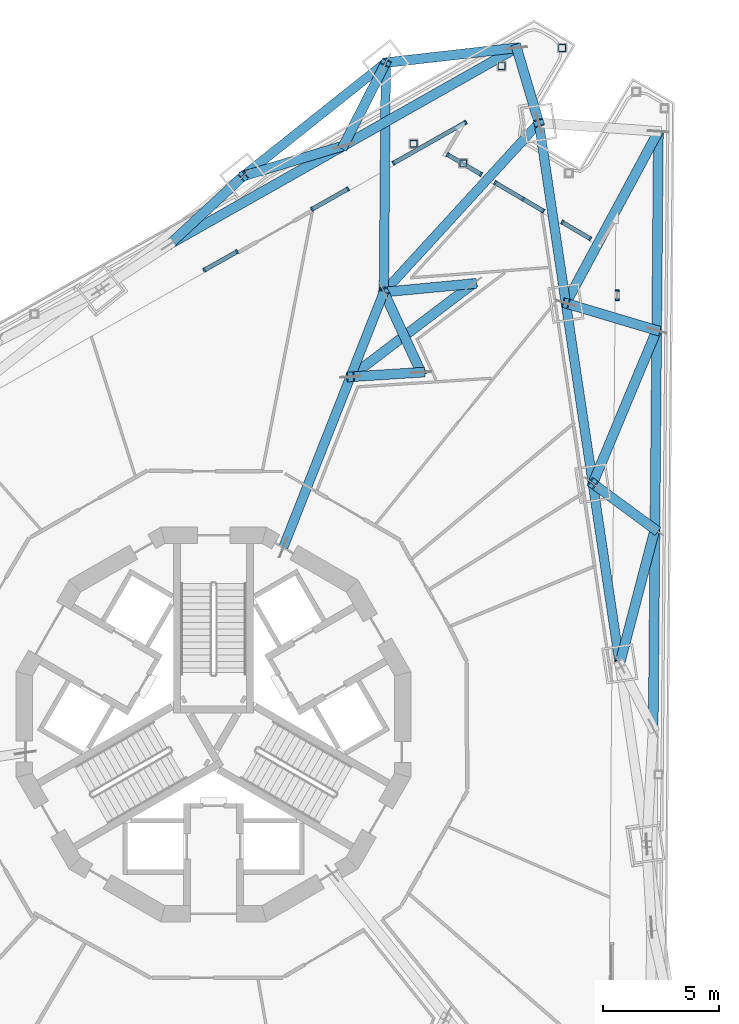
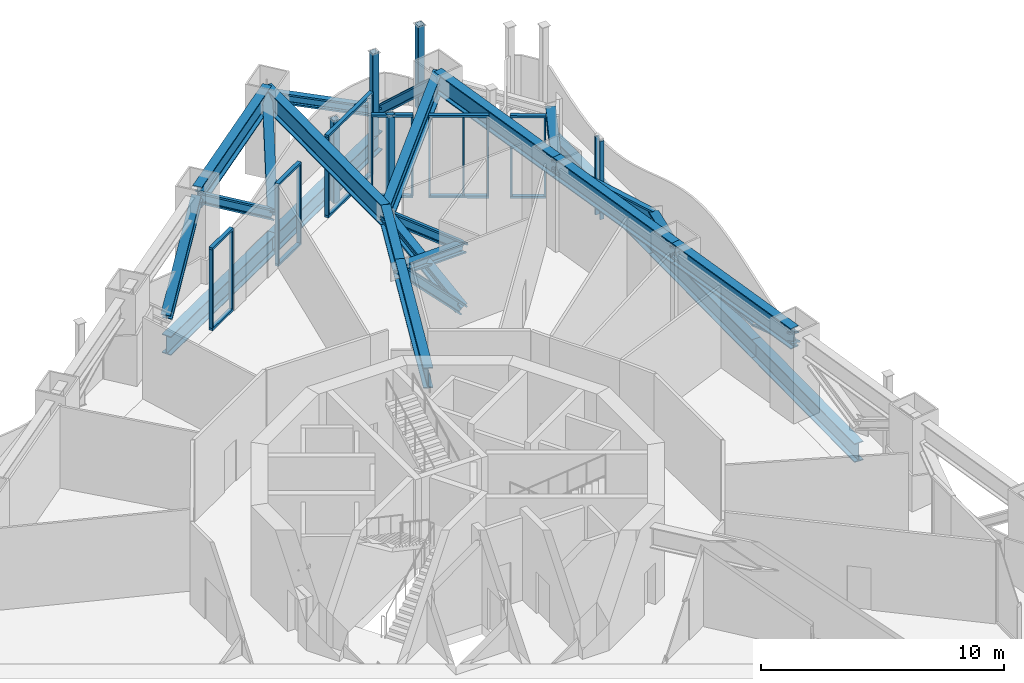
# One storey, part 6 of 27: 54 members, 4 beams, 7 elements without a shape of their own.
"""IFC4 building model written with IfcOpenShell, lengths in metres."""

from ifc_helpers import new_model, si_unit, direction, frame, origin, origin_2d, place, context, subcontext, project, spatial, rectangle, hollow_rectangle, i_section, extrude, material, layer, layer_set, material_profile, profile_set, type_object, element, aggregate, save


model = new_model("IFC4")

# Units and contexts
model_context = context("Model", 3, precision=1e-05, world=origin(), true_north=direction((0.0, 1.0)))
body_context = subcontext(model_context, "Body", "Model", "MODEL_VIEW")
ifc_project = project(units=[si_unit("LENGTHUNIT", "METRE"), si_unit("AREAUNIT", "SQUARE_METRE"), si_unit("VOLUMEUNIT", "CUBIC_METRE"), si_unit("PLANEANGLEUNIT", "RADIAN"), si_unit("MASSUNIT", "GRAM", prefix="KILO")], contexts=[model_context])

# Site, building, storey
site_placement = place(None, origin())
site = spatial("IfcSite", under=ifc_project, at=site_placement, CompositionType="ELEMENT")
building_placement = place(site_placement, origin())
building = spatial("IfcBuilding", under=site, at=building_placement, Name="Trine Commons Tower", CompositionType="ELEMENT")
storey_placement = place(building_placement, frame((0.0, 0.0, 193.5)))
storey = spatial("IfcBuildingStorey", under=building, at=storey_placement, Name="L50", CompositionType="ELEMENT", Elevation=193.5)

# Curtain wall, members
ifc_material_1 = material(Name="Sky lounge glazing: anodised aluminium frame with low-emissivity double glazed unit, solar control", Category="aluminium")
ifc_layer = layer(ifc_material_1, 0.179931640625)
ifc_layer_set = layer_set([ifc_layer], Name="Sky lounge glazing: anodised aluminium frame with low-emissivity double glazed unit, solar control")
curtain_wall_type = type_object("IfcCurtainWallType", Name="Sky lounge glazing curtain wall CW5", PredefinedType="NOTDEFINED", material=ifc_layer_set)
curtain_wall_1_placement = place(storey_placement, origin())
curtain_wall_1 = element("IfcCurtainWall", 1, at=curtain_wall_1_placement, inside=storey, type_object=curtain_wall_type, Name="Sky lounge glazing L50 F1.2", PredefinedType="NOTDEFINED")
ifc_material_2 = material(Name="Anodised aluminium, bronze finish", Category="aluminium")
ifc_material_profile_1 = material_profile(ifc_material_2, rectangle(XDim=0.179931640625, YDim=0.074951171875, at=origin_2d()), Name="Mullion 75x180")
ifc_profile_set_1 = profile_set([ifc_material_profile_1], Name="Anodised aluminium, bronze finish")
member_type_1 = type_object("IfcMemberType", Name="Mullion 75x180, Anodised aluminium, bronze finish", PredefinedType="MULLION", material=ifc_profile_set_1)
member_1_placement = place(storey_placement, frame((79.602294921875, 82.068603515625, 0.110107421875), z_axis=(0.0, 0.0, 1.0), x_axis=(-0.492423560103, 0.87035569594, 0.0)))
member_1 = element("IfcMember", 2, at=member_1_placement, type_object=member_type_1, Name="CW5 mullion 1.1", PredefinedType="MULLION", context=body_context, shape_type="SweptSolid", body=[
    extrude(rectangle(XDim=0.179931640625, YDim=0.074951171875, at=origin_2d()), origin(), (0.0, 0.0, 1.0), 3.929931640625),
])
member_2_placement = place(storey_placement, frame((81.00732421875, 82.863525390625, 0.110107421875), z_axis=(0.0, 0.0, 1.0), x_axis=(-0.492423560103, 0.87035569594, 0.0)))
member_2 = element("IfcMember", 3, at=member_2_placement, type_object=member_type_1, Name="CW5 mullion 2.1", PredefinedType="MULLION", context=body_context, shape_type="SweptSolid", body=[
    extrude(rectangle(XDim=0.179931640625, YDim=0.074951171875, at=origin_2d()), origin(), (0.0, 0.0, 1.0), 3.929931640625),
])

curtain_wall_2_placement = place(storey_placement, origin())
curtain_wall_2 = element("IfcCurtainWall", 4, at=curtain_wall_2_placement, inside=storey, type_object=curtain_wall_type, Name="Sky lounge glazing L50 F1.3", PredefinedType="NOTDEFINED")
member_3_placement = place(storey_placement, frame((84.246826171875, 84.696533203125, 0.110107421875), z_axis=(0.0, 0.0, 1.0), x_axis=(-0.492423560103, 0.87035569594, 0.0)))
member_3 = element("IfcMember", 5, at=member_3_placement, type_object=member_type_1, Name="CW5 mullion 1.1", PredefinedType="MULLION", context=body_context, shape_type="SweptSolid", body=[
    extrude(rectangle(XDim=0.179931640625, YDim=0.074951171875, at=origin_2d()), origin(), (0.0, 0.0, 1.0), 3.929931640625),
])
member_4_placement = place(storey_placement, frame((85.781982421875, 85.56494140625, 0.110107421875), z_axis=(0.0, 0.0, 1.0), x_axis=(-0.492423560103, 0.87035569594, 0.0)))
member_4 = element("IfcMember", 6, at=member_4_placement, type_object=member_type_1, Name="CW5 mullion 2.1", PredefinedType="MULLION", context=body_context, shape_type="SweptSolid", body=[
    extrude(rectangle(XDim=0.179931640625, YDim=0.074951171875, at=origin_2d()), origin(), (0.0, 0.0, 1.0), 3.929931640625),
])

curtain_wall_3_placement = place(storey_placement, origin())
curtain_wall_3 = element("IfcCurtainWall", 7, at=curtain_wall_3_placement, inside=storey, type_object=curtain_wall_type, Name="Sky lounge glazing L50 F1.4", PredefinedType="NOTDEFINED")
member_5_placement = place(storey_placement, frame((87.755859375, 86.681640625, 0.110107421875), z_axis=(0.0, 0.0, 1.0), x_axis=(-0.492423560103, 0.87035569594, 0.0)))
member_5 = element("IfcMember", 8, at=member_5_placement, type_object=member_type_1, Name="CW5 mullion 1.1", PredefinedType="MULLION", context=body_context, shape_type="SweptSolid", body=[
    extrude(rectangle(XDim=0.179931640625, YDim=0.074951171875, at=origin_2d()), origin(), (0.0, 0.0, 1.0), 3.929931640625),
])
member_6_placement = place(storey_placement, frame((90.85498046875, 88.435302734375, 0.110107421875), z_axis=(0.0, 0.0, 1.0), x_axis=(-0.492423560103, 0.87035569594, 0.0)))
member_6 = element("IfcMember", 9, at=member_6_placement, type_object=member_type_1, Name="CW5 mullion 2.1", PredefinedType="MULLION", context=body_context, shape_type="SweptSolid", body=[
    extrude(rectangle(XDim=0.179931640625, YDim=0.074951171875, at=origin_2d()), origin(), (0.0, 0.0, 1.0), 3.929931640625),
])

curtain_wall_4_placement = place(storey_placement, origin())
curtain_wall_4 = element("IfcCurtainWall", 10, at=curtain_wall_4_placement, inside=storey, type_object=curtain_wall_type, Name="Sky lounge glazing L50 P2.1", PredefinedType="NOTDEFINED")
member_7_placement = place(storey_placement, frame((90.088623046875, 87.040283203125, 0.110107421875), z_axis=(0.0, 0.0, 1.0), x_axis=(0.507538362961, 0.861629160442, 0.0)))
member_7 = element("IfcMember", 11, at=member_7_placement, type_object=member_type_1, Name="CW5 mullion 1.1", PredefinedType="MULLION", context=body_context, shape_type="SweptSolid", body=[
    extrude(rectangle(XDim=0.179931640625, YDim=0.074951171875, at=origin_2d()), origin(), (0.0, 0.0, 1.0), 3.929931640625),
])
member_8_placement = place(storey_placement, frame((91.517578125, 86.198486328125, 0.110107421875), z_axis=(0.0, 0.0, 1.0), x_axis=(0.507538362961, 0.861629160442, 0.0)))
member_8 = element("IfcMember", 12, at=member_8_placement, type_object=member_type_1, Name="CW5 mullion 2.1", PredefinedType="MULLION", context=body_context, shape_type="SweptSolid", body=[
    extrude(rectangle(XDim=0.179931640625, YDim=0.074951171875, at=origin_2d()), origin(), (0.0, 0.0, 1.0), 3.929931640625),
])

curtain_wall_5_placement = place(storey_placement, origin())
curtain_wall_5 = element("IfcCurtainWall", 13, at=curtain_wall_5_placement, inside=storey, type_object=curtain_wall_type, Name="Sky lounge glazing L50 P2.2", PredefinedType="NOTDEFINED")
member_9_placement = place(storey_placement, frame((92.13330078125, 85.8359375, 0.110107421875), z_axis=(0.0, 0.0, 1.0), x_axis=(0.507538362961, 0.861629160442, 0.0)))
member_9 = element("IfcMember", 14, at=member_9_placement, type_object=member_type_1, Name="CW5 mullion 1.1", PredefinedType="MULLION", context=body_context, shape_type="SweptSolid", body=[
    extrude(rectangle(XDim=0.179931640625, YDim=0.074951171875, at=origin_2d()), origin(), (0.0, 0.0, 1.0), 3.929931640625),
])
member_10_placement = place(storey_placement, frame((93.33056640625, 85.130615234375, 0.110107421875), z_axis=(0.0, 0.0, 1.0), x_axis=(0.507538362961, 0.861629160442, 0.0)))
member_10 = element("IfcMember", 15, at=member_10_placement, type_object=member_type_1, Name="CW5 mullion 2.1", PredefinedType="MULLION", context=body_context, shape_type="SweptSolid", body=[
    extrude(rectangle(XDim=0.179931640625, YDim=0.074951171875, at=origin_2d()), origin(), (0.0, 0.0, 1.0), 3.929931640625),
])
member_11_placement = place(storey_placement, frame((94.19873046875, 84.619384765625, 0.110107421875), z_axis=(0.0, 0.0, 1.0), x_axis=(0.507538362961, 0.861629160442, 0.0)))
member_11 = element("IfcMember", 16, at=member_11_placement, type_object=member_type_1, Name="CW5 mullion 3.1", PredefinedType="MULLION", context=body_context, shape_type="SweptSolid", body=[
    extrude(rectangle(XDim=0.179931640625, YDim=0.074951171875, at=origin_2d()), origin(), (0.0, 0.0, 1.0), 3.929931640625),
])

curtain_wall_6_placement = place(storey_placement, origin())
curtain_wall_6 = element("IfcCurtainWall", 17, at=curtain_wall_6_placement, inside=storey, type_object=curtain_wall_type, Name="Sky lounge glazing L50 P2.3", PredefinedType="NOTDEFINED")
member_12_placement = place(storey_placement, frame((95.0234375, 84.133544921875, 0.110107421875), z_axis=(0.0, 0.0, 1.0), x_axis=(0.507538362961, 0.861629160442, 0.0)))
member_12 = element("IfcMember", 18, at=member_12_placement, type_object=member_type_1, Name="CW5 mullion 1.1", PredefinedType="MULLION", context=body_context, shape_type="SweptSolid", body=[
    extrude(rectangle(XDim=0.179931640625, YDim=0.074951171875, at=origin_2d()), origin(), (0.0, 0.0, 1.0), 3.929931640625),
])
member_13_placement = place(storey_placement, frame((96.22021484375, 83.428466796875, 0.110107421875), z_axis=(0.0, 0.0, 1.0), x_axis=(0.507538362961, 0.861629160442, 0.0)))
member_13 = element("IfcMember", 19, at=member_13_placement, type_object=member_type_1, Name="CW5 mullion 2.1", PredefinedType="MULLION", context=body_context, shape_type="SweptSolid", body=[
    extrude(rectangle(XDim=0.179931640625, YDim=0.074951171875, at=origin_2d()), origin(), (0.0, 0.0, 1.0), 3.929931640625),
])

curtain_wall_7_placement = place(storey_placement, origin())
curtain_wall_7 = element("IfcCurtainWall", 20, at=curtain_wall_7_placement, inside=storey, type_object=curtain_wall_type, Name="Sky lounge glazing L50 F2.1", PredefinedType="NOTDEFINED")
member_14_placement = place(storey_placement, frame((97.391357421875, 81.1875, 0.110107421875), z_axis=(0.0, 0.0, 1.0), x_axis=(0.999961923064, -0.008726535498, 0.0)))
member_14 = element("IfcMember", 21, at=member_14_placement, type_object=member_type_1, Name="CW5 mullion 1.1", PredefinedType="MULLION", context=body_context, shape_type="SweptSolid", body=[
    extrude(rectangle(XDim=0.179931640625, YDim=0.074951171875, at=origin_2d()), origin(), (0.0, 0.0, 1.0), 3.929931640625),
])
member_15_placement = place(storey_placement, frame((97.3876953125, 80.793212890625, 0.110107421875), z_axis=(0.0, 0.0, 1.0), x_axis=(0.999961923064, -0.008726535498, 0.0)))
member_15 = element("IfcMember", 22, at=member_15_placement, type_object=member_type_1, Name="CW5 mullion 2.1", PredefinedType="MULLION", context=body_context, shape_type="SweptSolid", body=[
    extrude(rectangle(XDim=0.179931640625, YDim=0.074951171875, at=origin_2d()), origin(), (0.0, 0.0, 1.0), 3.929931640625),
])
aggregate(curtain_wall_7, [member_14, member_15])

# Beams
ifc_material_3 = material(Name="Structural steel ASTM A992 Gr50", Category="steel")
ifc_material_profile_2 = material_profile(ifc_material_3, i_section(OverallWidth=0.406494140625, OverallDepth=1.02880859375, WebThickness=0.0283203125, FlangeThickness=0.051025390625, FilletRadius=0.02978515625, at=origin_2d()), Name="W40X362")
ifc_profile_set_2 = profile_set([ifc_material_profile_2], Name="Structural steel ASTM A992 Gr50")
beam_type = type_object("IfcBeamType", Name="Steel beam W40X362, ASTM A992 Gr50", PredefinedType="BEAM", material=ifc_profile_set_2)
for number, where, z_axis, x_axis, name in (
    (23, (87.419189453125, 91.006103515625, 3.635498046875), (-0.008351161628, -0.999965128442, 0.0), (0.999965128442, -0.008351161628, 0.0), "Transfer truss girder T5-UV-03"),
    (24, (94.014892578125, 88.407958984375, 3.635498046875), (-0.675856641144, -0.73703310687, 0.0), (0.73703310687, -0.675856641144, 0.0), "Transfer truss girder T5-UV-04"),
):
    element("IfcBeam", number, at=place(storey_placement, frame(where, z_axis=z_axis, x_axis=x_axis)), inside=storey, type_object=beam_type, Name=name, PredefinedType="BEAM", context=body_context, shape_type="SweptSolid", body=[
        extrude(i_section(OverallWidth=0.406494140625, OverallDepth=1.02880859375, WebThickness=0.0283203125, FlangeThickness=0.051025390625, FilletRadius=0.02978515625, at=origin_2d()), origin(), (0.0, 0.0, 1.0), 9.881103515625),
    ])
beam_1_placement = place(storey_placement, frame((83.00341796875, 70.12451171875, 3.635498046875), z_axis=(0.366493709581, 0.930420529029, 0.0), x_axis=(-0.930420529029, 0.366493709581, 0.0)))
element("IfcBeam", 25, at=beam_1_placement, inside=storey, type_object=beam_type, Name="Transfer truss girder T5-UR-03", PredefinedType="BEAM", context=body_context, shape_type="SweptSolid", body=[
    extrude(i_section(OverallWidth=0.406494140625, OverallDepth=1.02880859375, WebThickness=0.0283203125, FlangeThickness=0.051025390625, FilletRadius=0.02978515625, at=origin_2d()), origin(), (0.0, 0.0, 1.0), 7.899169921875),
])
beam_2_placement = place(storey_placement, frame((85.8984375, 77.47412109375, 3.635498046875), z_axis=(0.366504934123, 0.93041610759, 0.0), x_axis=(-0.93041610759, 0.366504934123, 0.0)))
element("IfcBeam", 26, at=beam_2_placement, inside=storey, type_object=beam_type, Name="Transfer truss girder T5-UR-04", PredefinedType="BEAM", context=body_context, shape_type="SweptSolid", body=[
    extrude(i_section(OverallWidth=0.406494140625, OverallDepth=1.02880859375, WebThickness=0.0283203125, FlangeThickness=0.051025390625, FilletRadius=0.02978515625, at=origin_2d()), origin(), (0.0, 0.0, 1.0), 3.924072265625),
])

# Members
ifc_material_profile_3 = material_profile(ifc_material_3, i_section(OverallWidth=0.42236328125, OverallDepth=0.46337890625, WebThickness=0.044921875, FlangeThickness=0.072509765625, FilletRadius=0.014892578125, at=origin_2d()), Name="W14X398")
ifc_profile_set_3 = profile_set([ifc_material_profile_3], Name="Structural steel ASTM A992 Gr50")
member_type_2 = type_object("IfcMemberType", Name="Steel brace W14X398, ASTM A992 Gr50", PredefinedType="BRACE", material=ifc_profile_set_3)
member_16_placement = place(storey_placement, frame((78.13427734375, 83.202880859375, 0.474609375), z_axis=(0.589824975925, 0.547557089417, 0.593538315195), x_axis=(-0.680359329889, 0.732878695442, 0.0)))
element("IfcMember", 27, at=member_16_placement, inside=storey, type_object=member_type_2, Name="Transfer truss brace T5-DG-25", PredefinedType="BRACE", context=body_context, shape_type="SweptSolid", body=[
    extrude(i_section(OverallWidth=0.42236328125, OverallDepth=0.46337890625, WebThickness=0.044921875, FlangeThickness=0.072509765625, FilletRadius=0.014892578125, at=origin_2d()), origin(), (0.0, 0.0, 1.0), 5.325439453125),
])
member_17_placement = place(storey_placement, frame((85.59375, 87.423095703125, 0.474609375), z_axis=(-0.78398593289, -0.236773680094, 0.573850399883), x_axis=(0.289115021818, -0.957294366514, 0.0)))
element("IfcMember", 28, at=member_17_placement, inside=storey, type_object=member_type_2, Name="Transfer truss brace T5-DG-26", PredefinedType="BRACE", context=body_context, shape_type="SweptSolid", body=[
    extrude(i_section(OverallWidth=0.42236328125, OverallDepth=0.46337890625, WebThickness=0.044921875, FlangeThickness=0.072509765625, FilletRadius=0.014892578125, at=origin_2d()), origin(), (0.0, 0.0, 1.0), 5.50830078125),
])
member_18_placement = place(storey_placement, frame((85.59375, 87.423095703125, 0.474609375), z_axis=(0.356892164908, 0.700514833782, 0.617986205572), x_axis=(-0.891026059954, 0.453952156601, 0.0)))
element("IfcMember", 29, at=member_18_placement, inside=storey, type_object=member_type_2, Name="Transfer truss brace T5-DG-27", PredefinedType="BRACE", context=body_context, shape_type="SweptSolid", body=[
    extrude(i_section(OverallWidth=0.42236328125, OverallDepth=0.46337890625, WebThickness=0.044921875, FlangeThickness=0.072509765625, FilletRadius=0.014892578125, at=origin_2d()), origin(), (0.0, 0.0, 1.0), 5.11474609375),
])
member_19_placement = place(storey_placement, frame((93.052978515625, 91.6435546875, 0.474609375), z_axis=(-0.867896731313, -0.098200657196, 0.486941366801), x_axis=(0.112430456098, -0.993659595909, 0.0)))
element("IfcMember", 30, at=member_19_placement, inside=storey, type_object=member_type_2, Name="Transfer truss brace T5-DG-28", PredefinedType="BRACE", context=body_context, shape_type="SweptSolid", body=[
    extrude(i_section(OverallWidth=0.42236328125, OverallDepth=0.46337890625, WebThickness=0.044921875, FlangeThickness=0.072509765625, FilletRadius=0.014892578125, at=origin_2d()), origin(), (0.0, 0.0, 1.0), 6.4912109375),
])
member_20_placement = place(storey_placement, frame((93.052978515625, 91.6435546875, 0.474609375), z_axis=(0.208005971874, -0.699670849046, 0.68351607052), x_axis=(0.958537958117, 0.284964880026, 0.0)))
element("IfcMember", 31, at=member_20_placement, inside=storey, type_object=member_type_2, Name="Transfer truss brace T5-DG-29", PredefinedType="BRACE", context=body_context, shape_type="SweptSolid", body=[
    extrude(i_section(OverallWidth=0.42236328125, OverallDepth=0.46337890625, WebThickness=0.044921875, FlangeThickness=0.072509765625, FilletRadius=0.014892578125, at=origin_2d()), origin(), (0.0, 0.0, 1.0), 4.62451171875),
])
member_21_placement = place(storey_placement, frame((99.08642578125, 79.475341796875, 0.474609375), z_axis=(-0.757583211087, 0.22628187672, 0.6122615377), x_axis=(-0.286195356722, -0.958171288336, 0.0)))
element("IfcMember", 32, at=member_21_placement, inside=storey, type_object=member_type_2, Name="Transfer truss brace T5-DG-31", PredefinedType="BRACE", context=body_context, shape_type="SweptSolid", body=[
    extrude(i_section(OverallWidth=0.42236328125, OverallDepth=0.46337890625, WebThickness=0.044921875, FlangeThickness=0.072509765625, FilletRadius=0.014892578125, at=origin_2d()), origin(), (0.0, 0.0, 1.0), 5.16259765625),
])
member_22_placement = place(storey_placement, frame((99.1611328125, 88.045654296875, 0.474609375), z_axis=(-0.443778163496, -0.824140030567, 0.351929185519), x_axis=(0.88046643748, -0.474108481754, 0.0)))
element("IfcMember", 33, at=member_22_placement, inside=storey, type_object=member_type_2, Name="Transfer truss brace T5-DG-32", PredefinedType="BRACE", context=body_context, shape_type="SweptSolid", body=[
    extrude(i_section(OverallWidth=0.42236328125, OverallDepth=0.46337890625, WebThickness=0.044921875, FlangeThickness=0.072509765625, FilletRadius=0.014892578125, at=origin_2d()), origin(), (0.0, 0.0, 1.0), 8.981689453125),
])
member_23_placement = place(storey_placement, frame((99.01171875, 70.905029296875, 0.474609375), z_axis=(-0.583269827729, 0.430281892804, 0.688951232516), x_axis=(-0.593649727971, -0.804723555316, 0.0)))
element("IfcMember", 34, at=member_23_placement, inside=storey, type_object=member_type_2, Name="Transfer truss brace T5-DG-33", PredefinedType="BRACE", context=body_context, shape_type="SweptSolid", body=[
    extrude(i_section(OverallWidth=0.42236328125, OverallDepth=0.46337890625, WebThickness=0.044921875, FlangeThickness=0.072509765625, FilletRadius=0.014892578125, at=origin_2d()), origin(), (0.0, 0.0, 1.0), 4.587890625),
])
member_24_placement = place(storey_placement, frame((99.08642578125, 79.475341796875, 0.474609375), z_axis=(-0.35200053342, -0.844088968842, 0.404486634081), x_axis=(0.922961664114, -0.384891889465, 0.0)))
element("IfcMember", 35, at=member_24_placement, inside=storey, type_object=member_type_2, Name="Transfer truss brace T5-DG-34", PredefinedType="BRACE", context=body_context, shape_type="SweptSolid", body=[
    extrude(i_section(OverallWidth=0.42236328125, OverallDepth=0.46337890625, WebThickness=0.044921875, FlangeThickness=0.072509765625, FilletRadius=0.014892578125, at=origin_2d()), origin(), (0.0, 0.0, 1.0), 7.814453125),
])
member_25_placement = place(storey_placement, frame((99.01171875, 70.905029296875, 0.474609375), z_axis=(-0.22391568773, -0.855445935226, 0.466983957641), x_axis=(0.967408156145, -0.253222154292, 0.0)))
element("IfcMember", 36, at=member_25_placement, inside=storey, type_object=member_type_2, Name="Transfer truss brace T5-DG-36", PredefinedType="BRACE", context=body_context, shape_type="SweptSolid", body=[
    extrude(i_section(OverallWidth=0.42236328125, OverallDepth=0.46337890625, WebThickness=0.044921875, FlangeThickness=0.072509765625, FilletRadius=0.014892578125, at=origin_2d()), origin(), (0.0, 0.0, 1.0), 6.768798828125),
])
member_26_placement = place(storey_placement, frame((88.935546875, 77.66943359375, 0.474609375), z_axis=(-0.692160391642, -0.044511922292, 0.720369822394), x_axis=(0.064176115011, -0.997938588422, 0.0)))
element("IfcMember", 37, at=member_26_placement, inside=storey, type_object=member_type_2, Name="Transfer truss brace T5-DG-47", PredefinedType="BRACE", context=body_context, shape_type="SweptSolid", body=[
    extrude(i_section(OverallWidth=0.42236328125, OverallDepth=0.46337890625, WebThickness=0.044921875, FlangeThickness=0.072509765625, FilletRadius=0.014892578125, at=origin_2d()), origin(), (0.0, 0.0, 1.0), 4.387939453125),
])
member_27_placement = place(storey_placement, frame((91.185302734375, 81.488525390625, 0.474609375), z_axis=(-0.719067810292, -0.546000092571, 0.429913227423), x_axis=(0.604738185248, -0.796424338718, 0.0)))
element("IfcMember", 38, at=member_27_placement, inside=storey, type_object=member_type_2, Name="Transfer truss brace T5-DG-48", PredefinedType="BRACE", context=body_context, shape_type="SweptSolid", body=[
    extrude(i_section(OverallWidth=0.42236328125, OverallDepth=0.46337890625, WebThickness=0.044921875, FlangeThickness=0.072509765625, FilletRadius=0.014892578125, at=origin_2d()), origin(), (0.0, 0.0, 1.0), 7.352294921875),
])
member_28_placement = place(storey_placement, frame((88.935546875, 77.66943359375, 0.474609375), z_axis=(-0.323086210286, 0.698318110643, 0.638723036277), x_axis=(-0.907570541615, -0.419899645145, 0.0)))
element("IfcMember", 39, at=member_28_placement, inside=storey, type_object=member_type_2, Name="Transfer truss brace T5-DG-49", PredefinedType="BRACE", context=body_context, shape_type="SweptSolid", body=[
    extrude(i_section(OverallWidth=0.42236328125, OverallDepth=0.46337890625, WebThickness=0.044921875, FlangeThickness=0.072509765625, FilletRadius=0.014892578125, at=origin_2d()), origin(), (0.0, 0.0, 1.0), 4.94873046875),
])
member_29_placement = place(storey_placement, frame((91.185302734375, 81.488525390625, 0.474609375), z_axis=(-0.770726612687, -0.072750647023, 0.632999077293), x_axis=(0.093974562477, -0.995574598715, 0.0)))
element("IfcMember", 40, at=member_29_placement, inside=storey, type_object=member_type_2, Name="Transfer truss brace T5-DG-50", PredefinedType="BRACE", context=body_context, shape_type="SweptSolid", body=[
    extrude(i_section(OverallWidth=0.42236328125, OverallDepth=0.46337890625, WebThickness=0.044921875, FlangeThickness=0.072509765625, FilletRadius=0.014892578125, at=origin_2d()), origin(), (0.0, 0.0, 1.0), 4.993408203125),
])
ifc_material_profile_4 = material_profile(ifc_material_3, i_section(OverallWidth=0.42236328125, OverallDepth=0.94921875, WebThickness=0.02392578125, FlangeThickness=0.042724609375, FilletRadius=0.024169921875, at=origin_2d()), Name="W36X302")
ifc_profile_set_4 = profile_set([ifc_material_profile_4], Name="Structural steel ASTM A992 Gr50")
member_type_3 = type_object("IfcMemberType", Name="Steel chord W36X302, ASTM A992 Gr50", PredefinedType="CHORD", material=ifc_profile_set_4)
for number, where, z_axis, x_axis, name in (
    (41, (78.13427734375, 83.202880859375, -0.924560546875), (0.87036328309, 0.49241014962, 0.0), (-0.49241014962, 0.87036328309, 0.0), "Transfer truss chord T5-LC-11"),
    (42, (85.59375, 87.423095703125, -0.924560546875), (0.870344166839, 0.492443937163, 0.0), (-0.492443937163, 0.870344166839, 0.0), "Transfer truss chord T5-LC-12"),
    (43, (99.1611328125, 88.045654296875, -0.924560546875), (-0.008716624171, -0.99996200951, 0.0), (0.99996200951, -0.008716624171, 0.0), "Transfer truss chord T5-LC-13"),
    (44, (99.08642578125, 79.475341796875, -0.924560546875), (-0.008716624171, -0.99996200951, 0.0), (0.99996200951, -0.008716624171, 0.0), "Transfer truss chord T5-LC-14"),
    (45, (99.01171875, 70.905029296875, -0.924560546875), (-0.008745107696, -0.999961760815, 0.0), (0.999961760815, -0.008745107696, 0.0), "Transfer truss chord T5-LC-15"),
):
    element("IfcMember", number, at=place(storey_placement, frame(where, z_axis=z_axis, x_axis=x_axis)), inside=storey, type_object=member_type_3, Name=name, PredefinedType="CHORD", context=body_context, shape_type="SweptSolid", body=[
        extrude(i_section(OverallWidth=0.42236328125, OverallDepth=0.94921875, WebThickness=0.02392578125, FlangeThickness=0.042724609375, FilletRadius=0.024169921875, at=origin_2d()), origin(), (0.0, 0.0, 1.0), 8.570556640625),
    ])
ifc_material_profile_5 = material_profile(ifc_material_3, i_section(OverallWidth=0.406494140625, OverallDepth=1.02880859375, WebThickness=0.0283203125, FlangeThickness=0.051025390625, FilletRadius=0.02978515625, at=origin_2d()), Name="W40X362")
ifc_profile_set_5 = profile_set([ifc_material_profile_5], Name="Structural steel ASTM A992 Gr50")
member_type_4 = type_object("IfcMemberType", Name="Steel chord W40X362, ASTM A992 Gr50", PredefinedType="CHORD", material=ifc_profile_set_5)
for number, where, z_axis, x_axis, name in (
    (46, (81.275390625, 86.118896484375, 3.635498046875), (0.782595200411, 0.622530924769, 0.0), (-0.622530924769, 0.782595200411, 0.0), "Transfer truss chord T5-UC-12"),
    (47, (94.014892578125, 88.407958984375, 3.635498046875), (0.147809709358, -0.989015818791, 0.0), (0.989015818791, 0.147809709358, 0.0), "Transfer truss chord T5-UC-13"),
    (48, (95.17529296875, 80.6435546875, 3.635498046875), (0.147809709358, -0.989015818791, 0.0), (0.989015818791, 0.147809709358, 0.0), "Transfer truss chord T5-UC-14"),
    (49, (96.335693359375, 72.879150390625, 3.635498046875), (0.147809709358, -0.989015818791, 0.0), (0.989015818791, 0.147809709358, 0.0), "Transfer truss chord T5-UC-15"),
):
    element("IfcMember", number, at=place(storey_placement, frame(where, z_axis=z_axis, x_axis=x_axis)), inside=storey, type_object=member_type_4, Name=name, PredefinedType="CHORD", context=body_context, shape_type="SweptSolid", body=[
        extrude(i_section(OverallWidth=0.406494140625, OverallDepth=1.02880859375, WebThickness=0.0283203125, FlangeThickness=0.051025390625, FilletRadius=0.02978515625, at=origin_2d()), origin(), (0.0, 0.0, 1.0), 7.8505859375),
    ])
ifc_material_4 = material(Name="Structural steel ASTM A500 Gr C", Category="steel")
ifc_material_profile_6 = material_profile(ifc_material_4, hollow_rectangle(XDim=0.3046875, YDim=0.3046875, WallThickness=0.014892578125, InnerFilletRadius=0.00732421875, OuterFilletRadius=0.022216796875, at=origin_2d()), Name="HSS12X12X5/8")
ifc_profile_set_6 = profile_set([ifc_material_profile_6], Name="Structural steel ASTM A500 Gr C")
member_type_5 = type_object("IfcMemberType", Name="Steel post HSS12X12X5/8, ASTM A500 Gr C", PredefinedType="POST", material=ifc_profile_set_6)
for number, where, z_axis, x_axis, name in (
    (50, (95.01513671875, 91.6357421875, 0.0), (0.0, 0.0, 1.0), (1.0, 0.0, 0.0), "Roof post SP5-41"),
    (51, (88.616943359375, 87.51318359375, 0.0), (0.0, 0.0, 1.0), (1.0, 0.0, 0.0), "Roof post SP5-42"),
    (52, (90.7568359375, 86.67041015625, 0.0), (0.0, 0.0, 1.0), (1.0, 0.0, 0.0), "Roof post SP5-43"),
    (53, (92.40625, 90.857177734375, 0.0), (0.0, 0.0, 1.0), (1.0, 0.0, 0.0), "Roof post SP5-44"),
):
    element("IfcMember", number, at=place(storey_placement, frame(where, z_axis=z_axis, x_axis=x_axis)), inside=storey, type_object=member_type_5, Name=name, PredefinedType="POST", context=body_context, shape_type="SweptSolid", body=[
        extrude(hollow_rectangle(XDim=0.3046875, YDim=0.3046875, WallThickness=0.014892578125, InnerFilletRadius=0.00732421875, OuterFilletRadius=0.022216796875, at=origin_2d()), origin(), (0.0, 0.0, 1.0), 4.14990234375),
    ])

# Member
ifc_material_profile_7 = material_profile(ifc_material_2, rectangle(XDim=0.179931640625, YDim=0.110107421875, at=origin_2d()), Name="Transom 110x180")
ifc_profile_set_7 = profile_set([ifc_material_profile_7], Name="Anodised aluminium, bronze finish")
member_type_6 = type_object("IfcMemberType", Name="Transom 110x180, Anodised aluminium, bronze finish", PredefinedType="USERDEFINED", material=ifc_profile_set_7)
member_30_placement = place(storey_placement, frame((79.569580078125, 82.05029296875, 0.054931640625), z_axis=(0.870360878701, 0.492414399491, 0.0), x_axis=(-0.492414399491, 0.870360878701, 0.0)))
member_30 = element("IfcMember", 54, at=member_30_placement, type_object=member_type_6, Name="CW5 transom T00", ObjectType="TRANSOM", PredefinedType="USERDEFINED", context=body_context, shape_type="SweptSolid", body=[
    extrude(rectangle(XDim=0.179931640625, YDim=0.110107421875, at=origin_2d()), origin(), (0.0, 0.0, 1.0), 1.689208984375),
])

member_31_placement = place(storey_placement, frame((79.569580078125, 82.05029296875, 4.094970703125), z_axis=(0.870360878701, 0.492414399491, 0.0), x_axis=(-0.492414399491, 0.870360878701, 0.0)))
member_31 = element("IfcMember", 55, at=member_31_placement, type_object=member_type_6, Name="CW5 transom TH00", ObjectType="TRANSOM", PredefinedType="USERDEFINED", context=body_context, shape_type="SweptSolid", body=[
    extrude(rectangle(XDim=0.179931640625, YDim=0.110107421875, at=origin_2d()), origin(), (0.0, 0.0, 1.0), 1.689208984375),
])

aggregate(curtain_wall_1, [member_30, member_31, member_1, member_2])

member_32_placement = place(storey_placement, frame((84.21435546875, 84.677978515625, 0.054931640625), z_axis=(0.870335241359, 0.492459711701, 0.0), x_axis=(-0.492459711701, 0.870335241359, 0.0)))
member_32 = element("IfcMember", 56, at=member_32_placement, type_object=member_type_6, Name="CW5 transom T00", ObjectType="TRANSOM", PredefinedType="USERDEFINED", context=body_context, shape_type="SweptSolid", body=[
    extrude(rectangle(XDim=0.179931640625, YDim=0.110107421875, at=origin_2d()), origin(), (0.0, 0.0, 1.0), 1.8388671875),
])

member_33_placement = place(storey_placement, frame((84.21435546875, 84.677978515625, 4.094970703125), z_axis=(0.870335241359, 0.492459711701, 0.0), x_axis=(-0.492459711701, 0.870335241359, 0.0)))
member_33 = element("IfcMember", 57, at=member_33_placement, type_object=member_type_6, Name="CW5 transom TH00", ObjectType="TRANSOM", PredefinedType="USERDEFINED", context=body_context, shape_type="SweptSolid", body=[
    extrude(rectangle(XDim=0.179931640625, YDim=0.110107421875, at=origin_2d()), origin(), (0.0, 0.0, 1.0), 1.8388671875),
])

aggregate(curtain_wall_2, [member_32, member_33, member_3, member_4])

member_34_placement = place(storey_placement, frame((87.72314453125, 86.6630859375, 0.054931640625), z_axis=(0.870342652234, 0.492446614063, 0.0), x_axis=(-0.492446614063, 0.870342652234, 0.0)))
member_34 = element("IfcMember", 58, at=member_34_placement, type_object=member_type_6, Name="CW5 transom T00", ObjectType="TRANSOM", PredefinedType="USERDEFINED", context=body_context, shape_type="SweptSolid", body=[
    extrude(rectangle(XDim=0.179931640625, YDim=0.110107421875, at=origin_2d()), origin(), (0.0, 0.0, 1.0), 3.635986328125),
])

member_35_placement = place(storey_placement, frame((87.72314453125, 86.6630859375, 4.094970703125), z_axis=(0.870342652234, 0.492446614063, 0.0), x_axis=(-0.492446614063, 0.870342652234, 0.0)))
member_35 = element("IfcMember", 59, at=member_35_placement, type_object=member_type_6, Name="CW5 transom TH00", ObjectType="TRANSOM", PredefinedType="USERDEFINED", context=body_context, shape_type="SweptSolid", body=[
    extrude(rectangle(XDim=0.179931640625, YDim=0.110107421875, at=origin_2d()), origin(), (0.0, 0.0, 1.0), 3.635986328125),
])

aggregate(curtain_wall_3, [member_34, member_35, member_5, member_6])

member_36_placement = place(storey_placement, frame((90.056396484375, 87.059326171875, 0.054931640625), z_axis=(0.861615451372, -0.507561635624, 0.0), x_axis=(0.507561635624, 0.861615451372, 0.0)))
member_36 = element("IfcMember", 60, at=member_36_placement, type_object=member_type_6, Name="CW5 transom T00", ObjectType="TRANSOM", PredefinedType="USERDEFINED", context=body_context, shape_type="SweptSolid", body=[
    extrude(rectangle(XDim=0.179931640625, YDim=0.110107421875, at=origin_2d()), origin(), (0.0, 0.0, 1.0), 1.733642578125),
])

member_37_placement = place(storey_placement, frame((90.056396484375, 87.059326171875, 4.094970703125), z_axis=(0.861615451372, -0.507561635624, 0.0), x_axis=(0.507561635624, 0.861615451372, 0.0)))
member_37 = element("IfcMember", 61, at=member_37_placement, type_object=member_type_6, Name="CW5 transom TH00", ObjectType="TRANSOM", PredefinedType="USERDEFINED", context=body_context, shape_type="SweptSolid", body=[
    extrude(rectangle(XDim=0.179931640625, YDim=0.110107421875, at=origin_2d()), origin(), (0.0, 0.0, 1.0), 1.733642578125),
])

aggregate(curtain_wall_4, [member_36, member_37, member_7, member_8])

member_38_placement = place(storey_placement, frame((92.10107421875, 85.85498046875, 0.054931640625), z_axis=(0.861647202067, -0.507507733114, 0.0), x_axis=(0.507507733114, 0.861647202067, 0.0)))
member_38 = element("IfcMember", 62, at=member_38_placement, type_object=member_type_6, Name="CW5 transom T00", ObjectType="TRANSOM", PredefinedType="USERDEFINED", context=body_context, shape_type="SweptSolid", body=[
    extrude(rectangle(XDim=0.179931640625, YDim=0.110107421875, at=origin_2d()), origin(), (0.0, 0.0, 1.0), 2.47216796875),
])

member_39_placement = place(storey_placement, frame((92.10107421875, 85.85498046875, 4.094970703125), z_axis=(0.861647202067, -0.507507733114, 0.0), x_axis=(0.507507733114, 0.861647202067, 0.0)))
member_39 = element("IfcMember", 63, at=member_39_placement, type_object=member_type_6, Name="CW5 transom TH00", ObjectType="TRANSOM", PredefinedType="USERDEFINED", context=body_context, shape_type="SweptSolid", body=[
    extrude(rectangle(XDim=0.179931640625, YDim=0.110107421875, at=origin_2d()), origin(), (0.0, 0.0, 1.0), 2.47216796875),
])

aggregate(curtain_wall_5, [member_38, member_39, member_9, member_10, member_11])

member_40_placement = place(storey_placement, frame((94.9912109375, 84.152587890625, 0.054931640625), z_axis=(0.861599669472, -0.507588425367, 0.0), x_axis=(0.507588425367, 0.861599669472, 0.0)))
member_40 = element("IfcMember", 64, at=member_40_placement, type_object=member_type_6, Name="CW5 transom T00", ObjectType="TRANSOM", PredefinedType="USERDEFINED", context=body_context, shape_type="SweptSolid", body=[
    extrude(rectangle(XDim=0.179931640625, YDim=0.110107421875, at=origin_2d()), origin(), (0.0, 0.0, 1.0), 1.464111328125),
])

member_41_placement = place(storey_placement, frame((94.9912109375, 84.152587890625, 4.094970703125), z_axis=(0.861599669472, -0.507588425367, 0.0), x_axis=(0.507588425367, 0.861599669472, 0.0)))
member_41 = element("IfcMember", 65, at=member_41_placement, type_object=member_type_6, Name="CW5 transom TH00", ObjectType="TRANSOM", PredefinedType="USERDEFINED", context=body_context, shape_type="SweptSolid", body=[
    extrude(rectangle(XDim=0.179931640625, YDim=0.110107421875, at=origin_2d()), origin(), (0.0, 0.0, 1.0), 1.464111328125),
])

aggregate(curtain_wall_6, [member_40, member_41, member_12, member_13])

save(model, "model.ifc")
